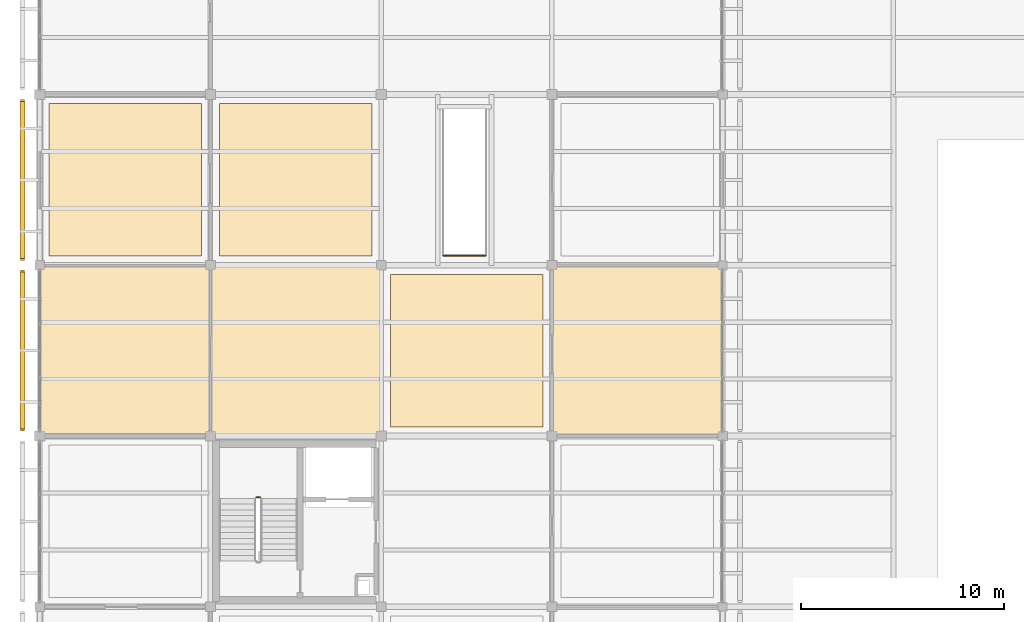
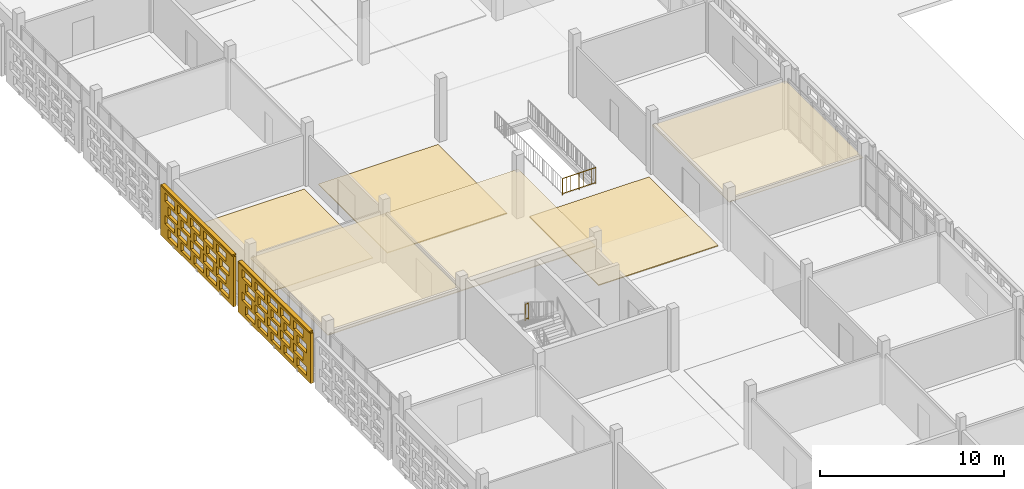
# One storey, part 128 of 166: 8 coverings, 2 railings, 2 shading devices, 40 openings.
"""IFC4 building model written with IfcOpenShell, lengths in metres."""

from ifc_helpers import new_model, si_unit, direction, frame, frame_2d, origin, origin_2d, place, context, subcontext, project, spatial, rectangle, circle, extrude, material, layer, layer_set, type_object, element, save


model = new_model("IFC4")

# Units and contexts
model_context = context("Model", 3, precision=1e-05, world=origin(), true_north=direction((0.0, 1.0)))
body_context = subcontext(model_context, "Body", "Model", "MODEL_VIEW")
ifc_project = project(units=[si_unit("LENGTHUNIT", "METRE"), si_unit("AREAUNIT", "SQUARE_METRE"), si_unit("VOLUMEUNIT", "CUBIC_METRE"), si_unit("PLANEANGLEUNIT", "RADIAN"), si_unit("MASSUNIT", "GRAM", prefix="KILO")], contexts=[model_context])

# Site, building, storey
site_placement = place(None, origin())
site = spatial("IfcSite", under=ifc_project, at=site_placement, CompositionType="ELEMENT")
building_placement = place(site_placement, origin())
building = spatial("IfcBuilding", under=site, at=building_placement, Name="Varnapada Polytechnic", CompositionType="ELEMENT")
storey_placement = place(building_placement, frame((0.0, 0.0, 9.60009765625)))
storey = spatial("IfcBuildingStorey", under=building, at=storey_placement, Name="L02", CompositionType="ELEMENT", Elevation=9.60009765625)

# Coverings
ifc_material_1 = material(Name="Anti-Static Raised Laboratory Flooring")
ifc_layer_1 = layer(ifc_material_1, 0.06005859375)
ifc_layer_set_1 = layer_set([ifc_layer_1], Name="Anti-Static Raised Laboratory Flooring")
covering_type_1 = type_object("IfcCoveringType", Name="Floor Finish FLR-02", PredefinedType="FLOORING", material=ifc_layer_set_1)
for number, where, z_axis, x_axis, name in (
    (1, (12.60009765625, 79.800048828125, -0.000244140625), (0.0, 0.0, 1.0), (1.0, 0.0, 0.0), "L02 floor finish panel (2,10)"),
    (2, (21.0, 71.39990234375, -0.000244140625), (0.0, 0.0, 1.0), (1.0, 0.0, 0.0), "L02 floor finish panel (3,9)"),
):
    element("IfcCovering", number, at=place(storey_placement, frame(where, z_axis=z_axis, x_axis=x_axis)), inside=storey, type_object=covering_type_1, Name=name, PredefinedType="FLOORING", context=body_context, shape_type="SweptSolid", body=[
        extrude(rectangle(XDim=7.5, YDim=7.5, at=origin_2d()), origin(), (0.0, 0.0, 1.0), 0.06005859375),
    ])
ifc_material_2 = material(Name="Acoustic Rubber Seminar Flooring")
ifc_layer_2 = layer(ifc_material_2, 0.0400390625)
ifc_layer_set_2 = layer_set([ifc_layer_2], Name="Acoustic Rubber Seminar Flooring")
covering_type_2 = type_object("IfcCoveringType", Name="Floor Finish FLR-06", PredefinedType="FLOORING", material=ifc_layer_set_2)
covering_1_placement = place(storey_placement, frame((4.199951171875, 79.800048828125, 0.0), z_axis=(0.0, 0.0, 1.0), x_axis=(1.0, 0.0, 0.0)))
element("IfcCovering", 3, at=covering_1_placement, inside=storey, type_object=covering_type_2, Name="L02 floor finish panel (1,10)", PredefinedType="FLOORING", context=body_context, shape_type="SweptSolid", body=[
    extrude(rectangle(XDim=7.5, YDim=7.5, at=origin_2d()), origin(), (0.0, 0.0, 1.0), 0.0400390625),
])

# Railings
ifc_material_3 = material(Name="Brushed Stainless Steel 316", Category="steel")
railing_type = type_object("IfcRailingType", Name="Stair Well Guard Rail SGR-01", PredefinedType="BALUSTRADE", material=ifc_material_3)
railing_1_placement = place(storey_placement, frame((10.85009765625, 64.179931640625, 2.099853515625)))
element("IfcRailing", 4, at=railing_1_placement, inside=storey, type_object=railing_type, Name="L02 ST-2 stair guard 2", PredefinedType="BALUSTRADE", context=body_context, shape_type="SweptSolid", body=[
    extrude(circle(Radius=0.02392578125, at=origin_2d()), frame((0.0, 0.0, 1.09619140625), z_axis=(-1.0, 0.0, 0.0), x_axis=(0.0, -1.0, 0.0)), (0.0, 0.0, 1.0), 0.2001953125),
    extrude(circle(Radius=0.02392578125, at=origin_2d()), frame((0.0, 0.0, 0.10009765625), z_axis=(-1.0, 0.0, 0.0), x_axis=(0.0, -1.0, 0.0)), (0.0, 0.0, 1.0), 0.2001953125),
    extrude(circle(Radius=0.02099609375, at=origin_2d()), origin(), (0.0, 0.0, 1.0), 1.072021484375),
    extrude(circle(Radius=0.02099609375, at=origin_2d()), frame((-0.2001953125, 0.0, 0.0)), (0.0, 0.0, 1.0), 1.072021484375),
])
railing_2_placement = place(storey_placement, frame((19.85009765625, 76.080078125, 0.0)))
element("IfcRailing", 5, at=railing_2_placement, inside=storey, type_object=railing_type, Name="L02 studio stair ST-F7 well guard 3", PredefinedType="BALUSTRADE", context=body_context, shape_type="SweptSolid", body=[
    extrude(circle(Radius=0.02392578125, at=origin_2d()), frame((0.0, 0.0, 1.09619140625), z_axis=(1.0, 0.0, 0.0), x_axis=(0.0, 1.0, 0.0)), (0.0, 0.0, 1.0), 2.099853515625),
    extrude(circle(Radius=0.02392578125, at=origin_2d()), frame((0.0, 0.0, 0.10009765625), z_axis=(1.0, 0.0, 0.0), x_axis=(0.0, 1.0, 0.0)), (0.0, 0.0, 1.0), 2.099853515625),
    extrude(circle(Radius=0.02099609375, at=origin_2d()), origin(), (0.0, 0.0, 1.0), 1.072021484375),
    extrude(circle(Radius=0.02099609375, at=origin_2d()), frame((1.0498046875, 0.0, 0.0)), (0.0, 0.0, 1.0), 1.072021484375),
    extrude(circle(Radius=0.02099609375, at=origin_2d()), frame((2.099853515625, 0.0, 0.0)), (0.0, 0.0, 1.0), 1.072021484375),
    extrude(circle(Radius=0.010009765625, at=origin_2d()), frame((0.262451171875, 0.0, 0.10009765625)), (0.0, 0.0, 1.0), 0.971923828125),
    extrude(circle(Radius=0.010009765625, at=origin_2d()), frame((0.52490234375, 0.0, 0.10009765625)), (0.0, 0.0, 1.0), 0.971923828125),
    extrude(circle(Radius=0.010009765625, at=origin_2d()), frame((0.787353515625, 0.0, 0.10009765625)), (0.0, 0.0, 1.0), 0.971923828125),
    extrude(circle(Radius=0.010009765625, at=origin_2d()), frame((1.0498046875, 0.0, 0.10009765625)), (0.0, 0.0, 1.0), 0.971923828125),
    extrude(circle(Radius=0.010009765625, at=origin_2d()), frame((1.3125, 0.0, 0.10009765625)), (0.0, 0.0, 1.0), 0.971923828125),
    extrude(circle(Radius=0.010009765625, at=origin_2d()), frame((1.574951171875, 0.0, 0.10009765625)), (0.0, 0.0, 1.0), 0.971923828125),
    extrude(circle(Radius=0.010009765625, at=origin_2d()), frame((1.83740234375, 0.0, 0.10009765625)), (0.0, 0.0, 1.0), 0.971923828125),
])

# Coverings
ifc_material_4 = material(Name="Moisture-Resistant Aluminum Baffle Ceiling", Category="aluminium")
ifc_layer_3 = layer(ifc_material_4, 0.030029296875)
ifc_layer_set_3 = layer_set([ifc_layer_3], Name="Moisture-Resistant Aluminum Baffle Ceiling")
covering_type_3 = type_object("IfcCoveringType", Name="Suspended Ceiling CLG-03", PredefinedType="CEILING", material=ifc_layer_set_3)
covering_2_placement = place(storey_placement, frame((29.39990234375, 71.39990234375, 3.03466796875), z_axis=(0.0, 0.0, 1.0), x_axis=(1.0, 0.0, 0.0)))
element("IfcCovering", 6, at=covering_2_placement, inside=storey, type_object=covering_type_3, Name="L02 suspended acoustic ceiling (4,9)", PredefinedType="CEILING", context=body_context, shape_type="SweptSolid", body=[
    extrude(rectangle(XDim=8.419921875, YDim=8.419921875, at=origin_2d()), origin(), (0.0, 0.0, 1.0), 0.030029296875),
])
ifc_material_5 = material(Name="Slatted Merbau Timber Acoustic Ceiling", Category="wood")
ifc_layer_4 = layer(ifc_material_5, 0.054931640625)
ifc_layer_set_4 = layer_set([ifc_layer_4], Name="Slatted Merbau Timber Acoustic Ceiling")
covering_type_4 = type_object("IfcCoveringType", Name="Suspended Ceiling CLG-05", PredefinedType="CEILING", material=ifc_layer_set_4)
for number, where, z_axis, x_axis, name in (
    (7, (4.199951171875, 71.39990234375, 3.0224609375), (0.0, 0.0, 1.0), (1.0, 0.0, 0.0), "L02 suspended acoustic ceiling (1,9)"),
    (8, (12.60009765625, 71.39990234375, 3.0224609375), (0.0, 0.0, 1.0), (1.0, 0.0, 0.0), "L02 suspended acoustic ceiling (2,9)"),
):
    element("IfcCovering", number, at=place(storey_placement, frame(where, z_axis=z_axis, x_axis=x_axis)), inside=storey, type_object=covering_type_4, Name=name, PredefinedType="CEILING", context=body_context, shape_type="SweptSolid", body=[
        extrude(rectangle(XDim=8.419921875, YDim=8.419921875, at=origin_2d()), origin(), (0.0, 0.0, 1.0), 0.054931640625),
    ])

# Covering, openings
ifc_material_6 = material(Name="Earth-toned architectural terracotta screen block", Category="masonry")
ifc_layer_5 = layer(ifc_material_6, 0.1201171875)
ifc_layer_set_5 = layer_set([ifc_layer_5], Name="Earth-toned architectural terracotta screen block")
covering_type_5 = type_object("IfcCoveringType", Name="Terracotta Screen Cladding CLD-01", PredefinedType="CLADDING", material=ifc_layer_set_5)
covering_3_placement = place(storey_placement, frame((-0.85009765625, 67.449951171875, 0.0), z_axis=(0.0, 0.0, 1.0), x_axis=(0.0, 1.0, 0.0)))
covering_3 = element("IfcCovering", 9, at=covering_3_placement, inside=storey, type_object=covering_type_5, Name="L02 perforated terracotta block screen (5)", PredefinedType="CLADDING", context=body_context, shape_type="SweptSolid", body=[
    extrude(rectangle(XDim=7.91015625, YDim=0.179931640625, at=frame_2d((3.955078125, 0.0))), origin(), (0.0, 0.0, 1.0), 3.31982421875),
])
opening_1_placement = place(covering_3_placement, frame((0.455078125, 0.0, 0.265625)))
element("IfcOpeningElement", 10, at=opening_1_placement, cuts=covering_3, Name="Screen perforation TBS-L02-004.1", PredefinedType="OPENING", context=body_context, shape_type="SweptSolid", body=[
    extrude(rectangle(XDim=1.0400390625, YDim=0.5810546875, at=frame_2d((0.52001953125, 0.29052734375))), frame((0.0, 0.099853515625, 0.0), z_axis=(0.0, -1.0, 0.0), x_axis=(1.0, 0.0, 0.0)), (0.0, 0.0, 1.0), 0.199951171875),
])
opening_2_placement = place(covering_3_placement, frame((1.85498046875, 0.0, 0.265625)))
element("IfcOpeningElement", 11, at=opening_2_placement, cuts=covering_3, Name="Screen perforation TBS-L02-004.2", PredefinedType="OPENING", context=body_context, shape_type="SweptSolid", body=[
    extrude(rectangle(XDim=1.0400390625, YDim=0.5810546875, at=frame_2d((0.52001953125, 0.29052734375))), frame((0.0, 0.099853515625, 0.0), z_axis=(0.0, -1.0, 0.0), x_axis=(1.0, 0.0, 0.0)), (0.0, 0.0, 1.0), 0.199951171875),
])
opening_3_placement = place(covering_3_placement, frame((3.2548828125, 0.0, 0.265625)))
element("IfcOpeningElement", 12, at=opening_3_placement, cuts=covering_3, Name="Screen perforation TBS-L02-004.3", PredefinedType="OPENING", context=body_context, shape_type="SweptSolid", body=[
    extrude(rectangle(XDim=1.0400390625, YDim=0.5810546875, at=frame_2d((0.52001953125, 0.29052734375))), frame((0.0, 0.099853515625, 0.0), z_axis=(0.0, -1.0, 0.0), x_axis=(1.0, 0.0, 0.0)), (0.0, 0.0, 1.0), 0.199951171875),
])
opening_4_placement = place(covering_3_placement, frame((4.655029296875, 0.0, 0.265625)))
element("IfcOpeningElement", 13, at=opening_4_placement, cuts=covering_3, Name="Screen perforation TBS-L02-004.4", PredefinedType="OPENING", context=body_context, shape_type="SweptSolid", body=[
    extrude(rectangle(XDim=1.0400390625, YDim=0.5810546875, at=frame_2d((0.52001953125, 0.29052734375))), frame((0.0, 0.099853515625, 0.0), z_axis=(0.0, -1.0, 0.0), x_axis=(1.0, 0.0, 0.0)), (0.0, 0.0, 1.0), 0.199951171875),
])
opening_5_placement = place(covering_3_placement, frame((6.054931640625, 0.0, 0.265625)))
element("IfcOpeningElement", 14, at=opening_5_placement, cuts=covering_3, Name="Screen perforation TBS-L02-004.5", PredefinedType="OPENING", context=body_context, shape_type="SweptSolid", body=[
    extrude(rectangle(XDim=1.0400390625, YDim=0.5810546875, at=frame_2d((0.52001953125, 0.29052734375))), frame((0.0, 0.099853515625, 0.0), z_axis=(0.0, -1.0, 0.0), x_axis=(1.0, 0.0, 0.0)), (0.0, 0.0, 1.0), 0.199951171875),
])
opening_6_placement = place(covering_3_placement, frame((0.81494140625, 0.0, 1.0126953125)))
element("IfcOpeningElement", 15, at=opening_6_placement, cuts=covering_3, Name="Screen perforation TBS-L02-004.6", PredefinedType="OPENING", context=body_context, shape_type="SweptSolid", body=[
    extrude(rectangle(XDim=1.0400390625, YDim=0.5810546875, at=frame_2d((0.52001953125, 0.29052734375))), frame((0.0, 0.099853515625, 0.0), z_axis=(0.0, -1.0, 0.0), x_axis=(1.0, 0.0, 0.0)), (0.0, 0.0, 1.0), 0.199951171875),
])
opening_7_placement = place(covering_3_placement, frame((2.215087890625, 0.0, 1.0126953125)))
element("IfcOpeningElement", 16, at=opening_7_placement, cuts=covering_3, Name="Screen perforation TBS-L02-004.7", PredefinedType="OPENING", context=body_context, shape_type="SweptSolid", body=[
    extrude(rectangle(XDim=1.0400390625, YDim=0.5810546875, at=frame_2d((0.52001953125, 0.29052734375))), frame((0.0, 0.099853515625, 0.0), z_axis=(0.0, -1.0, 0.0), x_axis=(1.0, 0.0, 0.0)), (0.0, 0.0, 1.0), 0.199951171875),
])
opening_8_placement = place(covering_3_placement, frame((3.614990234375, 0.0, 1.0126953125)))
element("IfcOpeningElement", 17, at=opening_8_placement, cuts=covering_3, Name="Screen perforation TBS-L02-004.8", PredefinedType="OPENING", context=body_context, shape_type="SweptSolid", body=[
    extrude(rectangle(XDim=1.0400390625, YDim=0.5810546875, at=frame_2d((0.52001953125, 0.29052734375))), frame((0.0, 0.099853515625, 0.0), z_axis=(0.0, -1.0, 0.0), x_axis=(1.0, 0.0, 0.0)), (0.0, 0.0, 1.0), 0.199951171875),
])
opening_9_placement = place(covering_3_placement, frame((5.014892578125, 0.0, 1.0126953125)))
element("IfcOpeningElement", 18, at=opening_9_placement, cuts=covering_3, Name="Screen perforation TBS-L02-004.9", PredefinedType="OPENING", context=body_context, shape_type="SweptSolid", body=[
    extrude(rectangle(XDim=1.0400390625, YDim=0.5810546875, at=frame_2d((0.52001953125, 0.29052734375))), frame((0.0, 0.099853515625, 0.0), z_axis=(0.0, -1.0, 0.0), x_axis=(1.0, 0.0, 0.0)), (0.0, 0.0, 1.0), 0.199951171875),
])
opening_10_placement = place(covering_3_placement, frame((6.4150390625, 0.0, 1.0126953125)))
element("IfcOpeningElement", 19, at=opening_10_placement, cuts=covering_3, Name="Screen perforation TBS-L02-004.10", PredefinedType="OPENING", context=body_context, shape_type="SweptSolid", body=[
    extrude(rectangle(XDim=1.0400390625, YDim=0.5810546875, at=frame_2d((0.52001953125, 0.29052734375))), frame((0.0, 0.099853515625, 0.0), z_axis=(0.0, -1.0, 0.0), x_axis=(1.0, 0.0, 0.0)), (0.0, 0.0, 1.0), 0.199951171875),
])
opening_11_placement = place(covering_3_placement, frame((0.455078125, 0.0, 1.759521484375)))
element("IfcOpeningElement", 20, at=opening_11_placement, cuts=covering_3, Name="Screen perforation TBS-L02-004.11", PredefinedType="OPENING", context=body_context, shape_type="SweptSolid", body=[
    extrude(rectangle(XDim=1.0400390625, YDim=0.5810546875, at=frame_2d((0.52001953125, 0.29052734375))), frame((0.0, 0.099853515625, 0.0), z_axis=(0.0, -1.0, 0.0), x_axis=(1.0, 0.0, 0.0)), (0.0, 0.0, 1.0), 0.199951171875),
])
opening_12_placement = place(covering_3_placement, frame((1.85498046875, 0.0, 1.759521484375)))
element("IfcOpeningElement", 21, at=opening_12_placement, cuts=covering_3, Name="Screen perforation TBS-L02-004.12", PredefinedType="OPENING", context=body_context, shape_type="SweptSolid", body=[
    extrude(rectangle(XDim=1.0400390625, YDim=0.5810546875, at=frame_2d((0.52001953125, 0.29052734375))), frame((0.0, 0.099853515625, 0.0), z_axis=(0.0, -1.0, 0.0), x_axis=(1.0, 0.0, 0.0)), (0.0, 0.0, 1.0), 0.199951171875),
])
opening_13_placement = place(covering_3_placement, frame((3.2548828125, 0.0, 1.759521484375)))
element("IfcOpeningElement", 22, at=opening_13_placement, cuts=covering_3, Name="Screen perforation TBS-L02-004.13", PredefinedType="OPENING", context=body_context, shape_type="SweptSolid", body=[
    extrude(rectangle(XDim=1.0400390625, YDim=0.5810546875, at=frame_2d((0.52001953125, 0.29052734375))), frame((0.0, 0.099853515625, 0.0), z_axis=(0.0, -1.0, 0.0), x_axis=(1.0, 0.0, 0.0)), (0.0, 0.0, 1.0), 0.199951171875),
])
opening_14_placement = place(covering_3_placement, frame((4.655029296875, 0.0, 1.759521484375)))
element("IfcOpeningElement", 23, at=opening_14_placement, cuts=covering_3, Name="Screen perforation TBS-L02-004.14", PredefinedType="OPENING", context=body_context, shape_type="SweptSolid", body=[
    extrude(rectangle(XDim=1.0400390625, YDim=0.5810546875, at=frame_2d((0.52001953125, 0.29052734375))), frame((0.0, 0.099853515625, 0.0), z_axis=(0.0, -1.0, 0.0), x_axis=(1.0, 0.0, 0.0)), (0.0, 0.0, 1.0), 0.199951171875),
])
opening_15_placement = place(covering_3_placement, frame((6.054931640625, 0.0, 1.759521484375)))
element("IfcOpeningElement", 24, at=opening_15_placement, cuts=covering_3, Name="Screen perforation TBS-L02-004.15", PredefinedType="OPENING", context=body_context, shape_type="SweptSolid", body=[
    extrude(rectangle(XDim=1.0400390625, YDim=0.5810546875, at=frame_2d((0.52001953125, 0.29052734375))), frame((0.0, 0.099853515625, 0.0), z_axis=(0.0, -1.0, 0.0), x_axis=(1.0, 0.0, 0.0)), (0.0, 0.0, 1.0), 0.199951171875),
])
opening_16_placement = place(covering_3_placement, frame((0.81494140625, 0.0, 2.506591796875)))
element("IfcOpeningElement", 25, at=opening_16_placement, cuts=covering_3, Name="Screen perforation TBS-L02-004.16", PredefinedType="OPENING", context=body_context, shape_type="SweptSolid", body=[
    extrude(rectangle(XDim=1.0400390625, YDim=0.5810546875, at=frame_2d((0.52001953125, 0.29052734375))), frame((0.0, 0.099853515625, 0.0), z_axis=(0.0, -1.0, 0.0), x_axis=(1.0, 0.0, 0.0)), (0.0, 0.0, 1.0), 0.199951171875),
])
opening_17_placement = place(covering_3_placement, frame((2.215087890625, 0.0, 2.506591796875)))
element("IfcOpeningElement", 26, at=opening_17_placement, cuts=covering_3, Name="Screen perforation TBS-L02-004.17", PredefinedType="OPENING", context=body_context, shape_type="SweptSolid", body=[
    extrude(rectangle(XDim=1.0400390625, YDim=0.5810546875, at=frame_2d((0.52001953125, 0.29052734375))), frame((0.0, 0.099853515625, 0.0), z_axis=(0.0, -1.0, 0.0), x_axis=(1.0, 0.0, 0.0)), (0.0, 0.0, 1.0), 0.199951171875),
])
opening_18_placement = place(covering_3_placement, frame((3.614990234375, 0.0, 2.506591796875)))
element("IfcOpeningElement", 27, at=opening_18_placement, cuts=covering_3, Name="Screen perforation TBS-L02-004.18", PredefinedType="OPENING", context=body_context, shape_type="SweptSolid", body=[
    extrude(rectangle(XDim=1.0400390625, YDim=0.5810546875, at=frame_2d((0.52001953125, 0.29052734375))), frame((0.0, 0.099853515625, 0.0), z_axis=(0.0, -1.0, 0.0), x_axis=(1.0, 0.0, 0.0)), (0.0, 0.0, 1.0), 0.199951171875),
])
opening_19_placement = place(covering_3_placement, frame((5.014892578125, 0.0, 2.506591796875)))
element("IfcOpeningElement", 28, at=opening_19_placement, cuts=covering_3, Name="Screen perforation TBS-L02-004.19", PredefinedType="OPENING", context=body_context, shape_type="SweptSolid", body=[
    extrude(rectangle(XDim=1.0400390625, YDim=0.5810546875, at=frame_2d((0.52001953125, 0.29052734375))), frame((0.0, 0.099853515625, 0.0), z_axis=(0.0, -1.0, 0.0), x_axis=(1.0, 0.0, 0.0)), (0.0, 0.0, 1.0), 0.199951171875),
])
opening_20_placement = place(covering_3_placement, frame((6.4150390625, 0.0, 2.506591796875)))
element("IfcOpeningElement", 29, at=opening_20_placement, cuts=covering_3, Name="Screen perforation TBS-L02-004.20", PredefinedType="OPENING", context=body_context, shape_type="SweptSolid", body=[
    extrude(rectangle(XDim=1.0400390625, YDim=0.5810546875, at=frame_2d((0.52001953125, 0.29052734375))), frame((0.0, 0.099853515625, 0.0), z_axis=(0.0, -1.0, 0.0), x_axis=(1.0, 0.0, 0.0)), (0.0, 0.0, 1.0), 0.199951171875),
])

covering_4_placement = place(storey_placement, frame((-0.85009765625, 75.840087890625, 0.0), z_axis=(0.0, 0.0, 1.0), x_axis=(0.0, 1.0, 0.0)))
covering_4 = element("IfcCovering", 30, at=covering_4_placement, inside=storey, type_object=covering_type_5, Name="L02 perforated terracotta block screen (6)", PredefinedType="CLADDING", context=body_context, shape_type="SweptSolid", body=[
    extrude(rectangle(XDim=7.909912109375, YDim=0.179931640625, at=frame_2d((3.955078125, 0.0))), origin(), (0.0, 0.0, 1.0), 3.31982421875),
])
opening_21_placement = place(covering_4_placement, frame((0.455078125, 0.0, 0.265625)))
element("IfcOpeningElement", 31, at=opening_21_placement, cuts=covering_4, Name="Screen perforation TBS-L02-005.1", PredefinedType="OPENING", context=body_context, shape_type="SweptSolid", body=[
    extrude(rectangle(XDim=1.0400390625, YDim=0.5810546875, at=frame_2d((0.52001953125, 0.29052734375))), frame((0.0, 0.099853515625, 0.0), z_axis=(0.0, -1.0, 0.0), x_axis=(1.0, 0.0, 0.0)), (0.0, 0.0, 1.0), 0.199951171875),
])
opening_22_placement = place(covering_4_placement, frame((1.85498046875, 0.0, 0.265625)))
element("IfcOpeningElement", 32, at=opening_22_placement, cuts=covering_4, Name="Screen perforation TBS-L02-005.2", PredefinedType="OPENING", context=body_context, shape_type="SweptSolid", body=[
    extrude(rectangle(XDim=1.0400390625, YDim=0.5810546875, at=frame_2d((0.52001953125, 0.29052734375))), frame((0.0, 0.099853515625, 0.0), z_axis=(0.0, -1.0, 0.0), x_axis=(1.0, 0.0, 0.0)), (0.0, 0.0, 1.0), 0.199951171875),
])
opening_23_placement = place(covering_4_placement, frame((3.2548828125, 0.0, 0.265625)))
element("IfcOpeningElement", 33, at=opening_23_placement, cuts=covering_4, Name="Screen perforation TBS-L02-005.3", PredefinedType="OPENING", context=body_context, shape_type="SweptSolid", body=[
    extrude(rectangle(XDim=1.0400390625, YDim=0.5810546875, at=frame_2d((0.52001953125, 0.29052734375))), frame((0.0, 0.099853515625, 0.0), z_axis=(0.0, -1.0, 0.0), x_axis=(1.0, 0.0, 0.0)), (0.0, 0.0, 1.0), 0.199951171875),
])
opening_24_placement = place(covering_4_placement, frame((4.655029296875, 0.0, 0.265625)))
element("IfcOpeningElement", 34, at=opening_24_placement, cuts=covering_4, Name="Screen perforation TBS-L02-005.4", PredefinedType="OPENING", context=body_context, shape_type="SweptSolid", body=[
    extrude(rectangle(XDim=1.0400390625, YDim=0.5810546875, at=frame_2d((0.52001953125, 0.29052734375))), frame((0.0, 0.099853515625, 0.0), z_axis=(0.0, -1.0, 0.0), x_axis=(1.0, 0.0, 0.0)), (0.0, 0.0, 1.0), 0.199951171875),
])
opening_25_placement = place(covering_4_placement, frame((6.054931640625, 0.0, 0.265625)))
element("IfcOpeningElement", 35, at=opening_25_placement, cuts=covering_4, Name="Screen perforation TBS-L02-005.5", PredefinedType="OPENING", context=body_context, shape_type="SweptSolid", body=[
    extrude(rectangle(XDim=1.0400390625, YDim=0.5810546875, at=frame_2d((0.52001953125, 0.29052734375))), frame((0.0, 0.099853515625, 0.0), z_axis=(0.0, -1.0, 0.0), x_axis=(1.0, 0.0, 0.0)), (0.0, 0.0, 1.0), 0.199951171875),
])
opening_26_placement = place(covering_4_placement, frame((0.81494140625, 0.0, 1.0126953125)))
element("IfcOpeningElement", 36, at=opening_26_placement, cuts=covering_4, Name="Screen perforation TBS-L02-005.6", PredefinedType="OPENING", context=body_context, shape_type="SweptSolid", body=[
    extrude(rectangle(XDim=1.0400390625, YDim=0.5810546875, at=frame_2d((0.52001953125, 0.29052734375))), frame((0.0, 0.099853515625, 0.0), z_axis=(0.0, -1.0, 0.0), x_axis=(1.0, 0.0, 0.0)), (0.0, 0.0, 1.0), 0.199951171875),
])
opening_27_placement = place(covering_4_placement, frame((2.215087890625, 0.0, 1.0126953125)))
element("IfcOpeningElement", 37, at=opening_27_placement, cuts=covering_4, Name="Screen perforation TBS-L02-005.7", PredefinedType="OPENING", context=body_context, shape_type="SweptSolid", body=[
    extrude(rectangle(XDim=1.0400390625, YDim=0.5810546875, at=frame_2d((0.52001953125, 0.29052734375))), frame((0.0, 0.099853515625, 0.0), z_axis=(0.0, -1.0, 0.0), x_axis=(1.0, 0.0, 0.0)), (0.0, 0.0, 1.0), 0.199951171875),
])
opening_28_placement = place(covering_4_placement, frame((3.614990234375, 0.0, 1.0126953125)))
element("IfcOpeningElement", 38, at=opening_28_placement, cuts=covering_4, Name="Screen perforation TBS-L02-005.8", PredefinedType="OPENING", context=body_context, shape_type="SweptSolid", body=[
    extrude(rectangle(XDim=1.0400390625, YDim=0.5810546875, at=frame_2d((0.52001953125, 0.29052734375))), frame((0.0, 0.099853515625, 0.0), z_axis=(0.0, -1.0, 0.0), x_axis=(1.0, 0.0, 0.0)), (0.0, 0.0, 1.0), 0.199951171875),
])
opening_29_placement = place(covering_4_placement, frame((5.014892578125, 0.0, 1.0126953125)))
element("IfcOpeningElement", 39, at=opening_29_placement, cuts=covering_4, Name="Screen perforation TBS-L02-005.9", PredefinedType="OPENING", context=body_context, shape_type="SweptSolid", body=[
    extrude(rectangle(XDim=1.0400390625, YDim=0.5810546875, at=frame_2d((0.52001953125, 0.29052734375))), frame((0.0, 0.099853515625, 0.0), z_axis=(0.0, -1.0, 0.0), x_axis=(1.0, 0.0, 0.0)), (0.0, 0.0, 1.0), 0.199951171875),
])
opening_30_placement = place(covering_4_placement, frame((6.4150390625, 0.0, 1.0126953125)))
element("IfcOpeningElement", 40, at=opening_30_placement, cuts=covering_4, Name="Screen perforation TBS-L02-005.10", PredefinedType="OPENING", context=body_context, shape_type="SweptSolid", body=[
    extrude(rectangle(XDim=1.0400390625, YDim=0.5810546875, at=frame_2d((0.52001953125, 0.29052734375))), frame((0.0, 0.099853515625, 0.0), z_axis=(0.0, -1.0, 0.0), x_axis=(1.0, 0.0, 0.0)), (0.0, 0.0, 1.0), 0.199951171875),
])
opening_31_placement = place(covering_4_placement, frame((0.455078125, 0.0, 1.759521484375)))
element("IfcOpeningElement", 41, at=opening_31_placement, cuts=covering_4, Name="Screen perforation TBS-L02-005.11", PredefinedType="OPENING", context=body_context, shape_type="SweptSolid", body=[
    extrude(rectangle(XDim=1.0400390625, YDim=0.5810546875, at=frame_2d((0.52001953125, 0.29052734375))), frame((0.0, 0.099853515625, 0.0), z_axis=(0.0, -1.0, 0.0), x_axis=(1.0, 0.0, 0.0)), (0.0, 0.0, 1.0), 0.199951171875),
])
opening_32_placement = place(covering_4_placement, frame((1.85498046875, 0.0, 1.759521484375)))
element("IfcOpeningElement", 42, at=opening_32_placement, cuts=covering_4, Name="Screen perforation TBS-L02-005.12", PredefinedType="OPENING", context=body_context, shape_type="SweptSolid", body=[
    extrude(rectangle(XDim=1.0400390625, YDim=0.5810546875, at=frame_2d((0.52001953125, 0.29052734375))), frame((0.0, 0.099853515625, 0.0), z_axis=(0.0, -1.0, 0.0), x_axis=(1.0, 0.0, 0.0)), (0.0, 0.0, 1.0), 0.199951171875),
])
opening_33_placement = place(covering_4_placement, frame((3.2548828125, 0.0, 1.759521484375)))
element("IfcOpeningElement", 43, at=opening_33_placement, cuts=covering_4, Name="Screen perforation TBS-L02-005.13", PredefinedType="OPENING", context=body_context, shape_type="SweptSolid", body=[
    extrude(rectangle(XDim=1.0400390625, YDim=0.5810546875, at=frame_2d((0.52001953125, 0.29052734375))), frame((0.0, 0.099853515625, 0.0), z_axis=(0.0, -1.0, 0.0), x_axis=(1.0, 0.0, 0.0)), (0.0, 0.0, 1.0), 0.199951171875),
])
opening_34_placement = place(covering_4_placement, frame((4.655029296875, 0.0, 1.759521484375)))
element("IfcOpeningElement", 44, at=opening_34_placement, cuts=covering_4, Name="Screen perforation TBS-L02-005.14", PredefinedType="OPENING", context=body_context, shape_type="SweptSolid", body=[
    extrude(rectangle(XDim=1.0400390625, YDim=0.5810546875, at=frame_2d((0.52001953125, 0.29052734375))), frame((0.0, 0.099853515625, 0.0), z_axis=(0.0, -1.0, 0.0), x_axis=(1.0, 0.0, 0.0)), (0.0, 0.0, 1.0), 0.199951171875),
])
opening_35_placement = place(covering_4_placement, frame((6.054931640625, 0.0, 1.759521484375)))
element("IfcOpeningElement", 45, at=opening_35_placement, cuts=covering_4, Name="Screen perforation TBS-L02-005.15", PredefinedType="OPENING", context=body_context, shape_type="SweptSolid", body=[
    extrude(rectangle(XDim=1.0400390625, YDim=0.5810546875, at=frame_2d((0.52001953125, 0.29052734375))), frame((0.0, 0.099853515625, 0.0), z_axis=(0.0, -1.0, 0.0), x_axis=(1.0, 0.0, 0.0)), (0.0, 0.0, 1.0), 0.199951171875),
])
opening_36_placement = place(covering_4_placement, frame((0.81494140625, 0.0, 2.506591796875)))
element("IfcOpeningElement", 46, at=opening_36_placement, cuts=covering_4, Name="Screen perforation TBS-L02-005.16", PredefinedType="OPENING", context=body_context, shape_type="SweptSolid", body=[
    extrude(rectangle(XDim=1.0400390625, YDim=0.5810546875, at=frame_2d((0.52001953125, 0.29052734375))), frame((0.0, 0.099853515625, 0.0), z_axis=(0.0, -1.0, 0.0), x_axis=(1.0, 0.0, 0.0)), (0.0, 0.0, 1.0), 0.199951171875),
])
opening_37_placement = place(covering_4_placement, frame((2.215087890625, 0.0, 2.506591796875)))
element("IfcOpeningElement", 47, at=opening_37_placement, cuts=covering_4, Name="Screen perforation TBS-L02-005.17", PredefinedType="OPENING", context=body_context, shape_type="SweptSolid", body=[
    extrude(rectangle(XDim=1.0400390625, YDim=0.5810546875, at=frame_2d((0.52001953125, 0.29052734375))), frame((0.0, 0.099853515625, 0.0), z_axis=(0.0, -1.0, 0.0), x_axis=(1.0, 0.0, 0.0)), (0.0, 0.0, 1.0), 0.199951171875),
])
opening_38_placement = place(covering_4_placement, frame((3.614990234375, 0.0, 2.506591796875)))
element("IfcOpeningElement", 48, at=opening_38_placement, cuts=covering_4, Name="Screen perforation TBS-L02-005.18", PredefinedType="OPENING", context=body_context, shape_type="SweptSolid", body=[
    extrude(rectangle(XDim=1.0400390625, YDim=0.5810546875, at=frame_2d((0.52001953125, 0.29052734375))), frame((0.0, 0.099853515625, 0.0), z_axis=(0.0, -1.0, 0.0), x_axis=(1.0, 0.0, 0.0)), (0.0, 0.0, 1.0), 0.199951171875),
])
opening_39_placement = place(covering_4_placement, frame((5.014892578125, 0.0, 2.506591796875)))
element("IfcOpeningElement", 49, at=opening_39_placement, cuts=covering_4, Name="Screen perforation TBS-L02-005.19", PredefinedType="OPENING", context=body_context, shape_type="SweptSolid", body=[
    extrude(rectangle(XDim=1.0400390625, YDim=0.5810546875, at=frame_2d((0.52001953125, 0.29052734375))), frame((0.0, 0.099853515625, 0.0), z_axis=(0.0, -1.0, 0.0), x_axis=(1.0, 0.0, 0.0)), (0.0, 0.0, 1.0), 0.199951171875),
])
opening_40_placement = place(covering_4_placement, frame((6.4150390625, 0.0, 2.506591796875)))
element("IfcOpeningElement", 50, at=opening_40_placement, cuts=covering_4, Name="Screen perforation TBS-L02-005.20", PredefinedType="OPENING", context=body_context, shape_type="SweptSolid", body=[
    extrude(rectangle(XDim=1.0400390625, YDim=0.5810546875, at=frame_2d((0.52001953125, 0.29052734375))), frame((0.0, 0.099853515625, 0.0), z_axis=(0.0, -1.0, 0.0), x_axis=(1.0, 0.0, 0.0)), (0.0, 0.0, 1.0), 0.199951171875),
])

# Shading devices
ifc_layer_6 = layer(ifc_material_6, 0.179931640625)
ifc_layer_set_6 = layer_set([ifc_layer_6], Name="Earth-toned architectural terracotta screen block")
shading_device_type = type_object("IfcShadingDeviceType", Name="Terracotta Screen SCR-01", PredefinedType="USERDEFINED", material=ifc_layer_set_6)
for number, where, z_axis, x_axis, name in (
    (51, (-0.85009765625, 71.405029296875, 3.309814453125), (0.0, 0.0, 1.0), (0.0, 1.0, 0.0), "L02 perforated terracotta screen hood 235"),
    (52, (-0.85009765625, 79.794921875, 3.309814453125), (0.0, 0.0, 1.0), (0.0, 1.0, 0.0), "L02 perforated terracotta screen hood 236"),
):
    element("IfcShadingDevice", number, at=place(storey_placement, frame(where, z_axis=z_axis, x_axis=x_axis)), inside=storey, type_object=shading_device_type, Name=name, ObjectType="SCREEN", PredefinedType="USERDEFINED", context=body_context, shape_type="SweptSolid", body=[
        extrude(rectangle(XDim=7.7099609375, YDim=0.239990234375, at=origin_2d()), origin(), (0.0, 0.0, 1.0), 0.10009765625),
    ])

save(model, "model.ifc")
